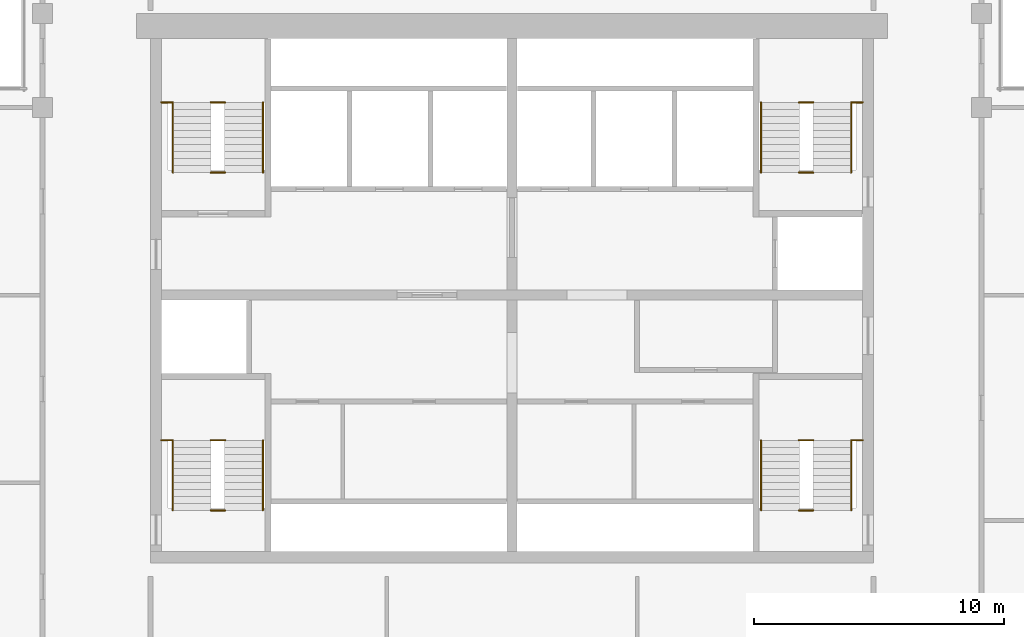
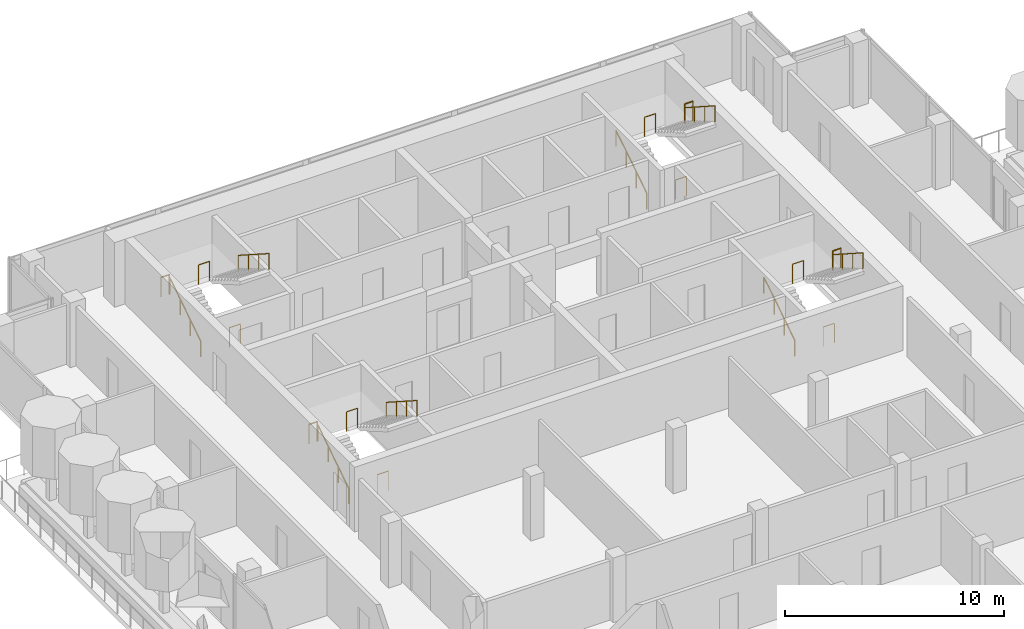
# One storey, part 11 of 12: 20 railings.
"""IFC4 building model written with IfcOpenShell, lengths in metres."""

from ifc_helpers import new_model, si_unit, direction, frame, origin, origin_2d, place, context, subcontext, project, spatial, circle, extrude, material, type_object, element, save


model = new_model("IFC4")

# Units and contexts
model_context = context("Model", 3, precision=1e-05, world=origin(), true_north=direction((0.0, 1.0)))
body_context = subcontext(model_context, "Body", "Model", "MODEL_VIEW")
ifc_project = project(units=[si_unit("LENGTHUNIT", "METRE"), si_unit("AREAUNIT", "SQUARE_METRE"), si_unit("VOLUMEUNIT", "CUBIC_METRE"), si_unit("PLANEANGLEUNIT", "RADIAN"), si_unit("MASSUNIT", "GRAM", prefix="KILO")], contexts=[model_context])

# Site, building, storey
site_placement = place(None, origin())
site = spatial("IfcSite", under=ifc_project, at=site_placement, CompositionType="ELEMENT")
building_placement = place(site_placement, origin())
building = spatial("IfcBuilding", under=site, at=building_placement, Name="Pilkhan Gate Tower", CompositionType="ELEMENT")
storey_placement = place(building_placement, frame((0.0, 0.0, 258.5)))
storey = spatial("IfcBuildingStorey", under=building, at=storey_placement, Name="L67", CompositionType="ELEMENT", Elevation=258.5)

# Railings
ifc_material_1 = material(Name="Black powder-coated steel tube", Category="steel")
railing_type_1 = type_object("IfcRailingType", Name="Stair handrail HR1", PredefinedType="HANDRAIL", material=ifc_material_1)
railing_1_placement = place(storey_placement, frame((84.949951171875, 73.89990234375, 0.0)))
element("IfcRailing", 1, at=railing_1_placement, inside=storey, type_object=railing_type_1, Name="Stair ST1 handrail L67", PredefinedType="HANDRAIL", context=body_context, shape_type="SweptSolid", body=[
    extrude(circle(Radius=0.02392578125, at=origin_2d()), frame((0.0, 0.0, 0.8759765625), z_axis=(0.0, 0.841176092368, 0.540761298198), x_axis=(-1.0, 0.0, 0.0)), (0.0, 0.0, 1.0), 3.32861328125),
    extrude(circle(Radius=0.02099609375, at=origin_2d()), origin(), (0.0, 0.0, 1.0), 0.851806640625),
    extrude(circle(Radius=0.02099609375, at=origin_2d()), frame((0.0, 0.933349609375, 0.60009765625)), (0.0, 0.0, 1.0), 0.851806640625),
    extrude(circle(Radius=0.02099609375, at=origin_2d()), frame((0.0, 1.86669921875, 1.199951171875)), (0.0, 0.0, 1.0), 0.851806640625),
    extrude(circle(Radius=0.02099609375, at=origin_2d()), frame((0.0, 2.800048828125, 1.800048828125)), (0.0, 0.0, 1.0), 0.851806640625),
])
railing_2_placement = place(storey_placement, frame((88.550048828125, 76.699951171875, 1.800048828125)))
element("IfcRailing", 2, at=railing_2_placement, inside=storey, type_object=railing_type_1, Name="Stair ST1 handrail L67", PredefinedType="HANDRAIL", context=body_context, shape_type="SweptSolid", body=[
    extrude(circle(Radius=0.02392578125, at=origin_2d()), frame((0.0, 0.0, 0.8759765625), z_axis=(0.0, -0.841176092368, 0.540761298198), x_axis=(1.0, 0.0, 0.0)), (0.0, 0.0, 1.0), 3.32861328125),
    extrude(circle(Radius=0.02099609375, at=origin_2d()), origin(), (0.0, 0.0, 1.0), 0.851806640625),
    extrude(circle(Radius=0.02099609375, at=origin_2d()), frame((0.0, -0.933349609375, 0.60009765625)), (0.0, 0.0, 1.0), 0.851806640625),
    extrude(circle(Radius=0.02099609375, at=origin_2d()), frame((0.0, -1.86669921875, 1.199951171875)), (0.0, 0.0, 1.0), 0.851806640625),
    extrude(circle(Radius=0.02099609375, at=origin_2d()), frame((0.0, -2.800048828125, 1.800048828125)), (0.0, 0.0, 1.0), 0.851806640625),
])
railing_3_placement = place(storey_placement, frame((61.449951171875, 73.89990234375, 0.0)))
element("IfcRailing", 3, at=railing_3_placement, inside=storey, type_object=railing_type_1, Name="Stair ST2 handrail L67", PredefinedType="HANDRAIL", context=body_context, shape_type="SweptSolid", body=[
    extrude(circle(Radius=0.02392578125, at=origin_2d()), frame((0.0, 0.0, 0.8759765625), z_axis=(0.0, 0.841176092368, 0.540761298198), x_axis=(-1.0, 0.0, 0.0)), (0.0, 0.0, 1.0), 3.32861328125),
    extrude(circle(Radius=0.02099609375, at=origin_2d()), origin(), (0.0, 0.0, 1.0), 0.851806640625),
    extrude(circle(Radius=0.02099609375, at=origin_2d()), frame((0.0, 0.933349609375, 0.60009765625)), (0.0, 0.0, 1.0), 0.851806640625),
    extrude(circle(Radius=0.02099609375, at=origin_2d()), frame((0.0, 1.86669921875, 1.199951171875)), (0.0, 0.0, 1.0), 0.851806640625),
    extrude(circle(Radius=0.02099609375, at=origin_2d()), frame((0.0, 2.800048828125, 1.800048828125)), (0.0, 0.0, 1.0), 0.851806640625),
])
railing_4_placement = place(storey_placement, frame((65.050048828125, 76.699951171875, 1.800048828125)))
element("IfcRailing", 4, at=railing_4_placement, inside=storey, type_object=railing_type_1, Name="Stair ST2 handrail L67", PredefinedType="HANDRAIL", context=body_context, shape_type="SweptSolid", body=[
    extrude(circle(Radius=0.02392578125, at=origin_2d()), frame((0.0, 0.0, 0.8759765625), z_axis=(0.0, -0.841176092368, 0.540761298198), x_axis=(1.0, 0.0, 0.0)), (0.0, 0.0, 1.0), 3.32861328125),
    extrude(circle(Radius=0.02099609375, at=origin_2d()), origin(), (0.0, 0.0, 1.0), 0.851806640625),
    extrude(circle(Radius=0.02099609375, at=origin_2d()), frame((0.0, -0.933349609375, 0.60009765625)), (0.0, 0.0, 1.0), 0.851806640625),
    extrude(circle(Radius=0.02099609375, at=origin_2d()), frame((0.0, -1.86669921875, 1.199951171875)), (0.0, 0.0, 1.0), 0.851806640625),
    extrude(circle(Radius=0.02099609375, at=origin_2d()), frame((0.0, -2.800048828125, 1.800048828125)), (0.0, 0.0, 1.0), 0.851806640625),
])
railing_5_placement = place(storey_placement, frame((61.449951171875, 87.39990234375, 0.0)))
element("IfcRailing", 5, at=railing_5_placement, inside=storey, type_object=railing_type_1, Name="Stair ST3 handrail L67", PredefinedType="HANDRAIL", context=body_context, shape_type="SweptSolid", body=[
    extrude(circle(Radius=0.02392578125, at=origin_2d()), frame((0.0, 0.0, 0.8759765625), z_axis=(0.0, 0.841176092368, 0.540761298198), x_axis=(-1.0, 0.0, 0.0)), (0.0, 0.0, 1.0), 3.32861328125),
    extrude(circle(Radius=0.02099609375, at=origin_2d()), origin(), (0.0, 0.0, 1.0), 0.851806640625),
    extrude(circle(Radius=0.02099609375, at=origin_2d()), frame((0.0, 0.933349609375, 0.60009765625)), (0.0, 0.0, 1.0), 0.851806640625),
    extrude(circle(Radius=0.02099609375, at=origin_2d()), frame((0.0, 1.86669921875, 1.199951171875)), (0.0, 0.0, 1.0), 0.851806640625),
    extrude(circle(Radius=0.02099609375, at=origin_2d()), frame((0.0, 2.800048828125, 1.800048828125)), (0.0, 0.0, 1.0), 0.851806640625),
])
railing_6_placement = place(storey_placement, frame((65.050048828125, 90.199951171875, 1.800048828125)))
element("IfcRailing", 6, at=railing_6_placement, inside=storey, type_object=railing_type_1, Name="Stair ST3 handrail L67", PredefinedType="HANDRAIL", context=body_context, shape_type="SweptSolid", body=[
    extrude(circle(Radius=0.02392578125, at=origin_2d()), frame((0.0, 0.0, 0.8759765625), z_axis=(0.0, -0.841176092368, 0.540761298198), x_axis=(1.0, 0.0, 0.0)), (0.0, 0.0, 1.0), 3.32861328125),
    extrude(circle(Radius=0.02099609375, at=origin_2d()), origin(), (0.0, 0.0, 1.0), 0.851806640625),
    extrude(circle(Radius=0.02099609375, at=origin_2d()), frame((0.0, -0.933349609375, 0.60009765625)), (0.0, 0.0, 1.0), 0.851806640625),
    extrude(circle(Radius=0.02099609375, at=origin_2d()), frame((0.0, -1.86669921875, 1.199951171875)), (0.0, 0.0, 1.0), 0.851806640625),
    extrude(circle(Radius=0.02099609375, at=origin_2d()), frame((0.0, -2.800048828125, 1.800048828125)), (0.0, 0.0, 1.0), 0.851806640625),
])
railing_7_placement = place(storey_placement, frame((84.949951171875, 87.39990234375, 0.0)))
element("IfcRailing", 7, at=railing_7_placement, inside=storey, type_object=railing_type_1, Name="Stair ST4 handrail L67", PredefinedType="HANDRAIL", context=body_context, shape_type="SweptSolid", body=[
    extrude(circle(Radius=0.02392578125, at=origin_2d()), frame((0.0, 0.0, 0.8759765625), z_axis=(0.0, 0.841176092368, 0.540761298198), x_axis=(-1.0, 0.0, 0.0)), (0.0, 0.0, 1.0), 3.32861328125),
    extrude(circle(Radius=0.02099609375, at=origin_2d()), origin(), (0.0, 0.0, 1.0), 0.851806640625),
    extrude(circle(Radius=0.02099609375, at=origin_2d()), frame((0.0, 0.933349609375, 0.60009765625)), (0.0, 0.0, 1.0), 0.851806640625),
    extrude(circle(Radius=0.02099609375, at=origin_2d()), frame((0.0, 1.86669921875, 1.199951171875)), (0.0, 0.0, 1.0), 0.851806640625),
    extrude(circle(Radius=0.02099609375, at=origin_2d()), frame((0.0, 2.800048828125, 1.800048828125)), (0.0, 0.0, 1.0), 0.851806640625),
])
railing_8_placement = place(storey_placement, frame((88.550048828125, 90.199951171875, 1.800048828125)))
element("IfcRailing", 8, at=railing_8_placement, inside=storey, type_object=railing_type_1, Name="Stair ST4 handrail L67", PredefinedType="HANDRAIL", context=body_context, shape_type="SweptSolid", body=[
    extrude(circle(Radius=0.02392578125, at=origin_2d()), frame((0.0, 0.0, 0.8759765625), z_axis=(0.0, -0.841176092368, 0.540761298198), x_axis=(1.0, 0.0, 0.0)), (0.0, 0.0, 1.0), 3.32861328125),
    extrude(circle(Radius=0.02099609375, at=origin_2d()), origin(), (0.0, 0.0, 1.0), 0.851806640625),
    extrude(circle(Radius=0.02099609375, at=origin_2d()), frame((0.0, -0.933349609375, 0.60009765625)), (0.0, 0.0, 1.0), 0.851806640625),
    extrude(circle(Radius=0.02099609375, at=origin_2d()), frame((0.0, -1.86669921875, 1.199951171875)), (0.0, 0.0, 1.0), 0.851806640625),
    extrude(circle(Radius=0.02099609375, at=origin_2d()), frame((0.0, -2.800048828125, 1.800048828125)), (0.0, 0.0, 1.0), 0.851806640625),
])
ifc_material_2 = material(Name="Black powder-coated steel balusters", Category="steel")
railing_type_2 = type_object("IfcRailingType", Name="Stair well guard G3", PredefinedType="GUARDRAIL", material=ifc_material_2)
railing_9_placement = place(storey_placement, frame((88.580078125, 76.699951171875, 1.800048828125)))
element("IfcRailing", 9, at=railing_9_placement, inside=storey, type_object=railing_type_2, Name="Stair ST1 well guard L67", PredefinedType="GUARDRAIL", context=body_context, shape_type="SweptSolid", body=[
    extrude(circle(Radius=0.02392578125, at=origin_2d()), frame((0.0, 0.0, 1.076171875), z_axis=(1.0, 0.0, 0.0), x_axis=(0.0, 1.0, 0.0)), (0.0, 0.0, 1.0), 0.43994140625),
    extrude(circle(Radius=0.02099609375, at=origin_2d()), origin(), (0.0, 0.0, 1.0), 1.052001953125),
    extrude(circle(Radius=0.02099609375, at=origin_2d()), frame((0.43994140625, 0.0, 0.0)), (0.0, 0.0, 1.0), 1.052001953125),
])
for number, where, name in (
    (10, (86.4599609375, 73.89990234375, 0.0), "Stair ST1 well guard L67"),
    (11, (86.4599609375, 76.699951171875, 1.800048828125), "Stair ST1 well guard L67"),
):
    element("IfcRailing", number, at=place(storey_placement, frame(where)), inside=storey, type_object=railing_type_2, Name=name, PredefinedType="GUARDRAIL", context=body_context, shape_type="SweptSolid", body=[
        extrude(circle(Radius=0.02392578125, at=origin_2d()), frame((0.0, 0.0, 1.076171875), z_axis=(1.0, 0.0, 0.0), x_axis=(0.0, 1.0, 0.0)), (0.0, 0.0, 1.0), 0.580078125),
        extrude(circle(Radius=0.02099609375, at=origin_2d()), origin(), (0.0, 0.0, 1.0), 1.052001953125),
        extrude(circle(Radius=0.02099609375, at=origin_2d()), frame((0.580078125, 0.0, 0.0)), (0.0, 0.0, 1.0), 1.052001953125),
    ])
railing_10_placement = place(storey_placement, frame((60.97998046875, 76.699951171875, 1.800048828125)))
element("IfcRailing", 12, at=railing_10_placement, inside=storey, type_object=railing_type_2, Name="Stair ST2 well guard L67", PredefinedType="GUARDRAIL", context=body_context, shape_type="SweptSolid", body=[
    extrude(circle(Radius=0.02392578125, at=origin_2d()), frame((0.0, 0.0, 1.076171875), z_axis=(1.0, 0.0, 0.0), x_axis=(0.0, 1.0, 0.0)), (0.0, 0.0, 1.0), 0.43994140625),
    extrude(circle(Radius=0.02099609375, at=origin_2d()), origin(), (0.0, 0.0, 1.0), 1.052001953125),
    extrude(circle(Radius=0.02099609375, at=origin_2d()), frame((0.43994140625, 0.0, 0.0)), (0.0, 0.0, 1.0), 1.052001953125),
])
for number, where, name in (
    (13, (62.9599609375, 73.89990234375, 0.0), "Stair ST2 well guard L67"),
    (14, (62.9599609375, 76.699951171875, 1.800048828125), "Stair ST2 well guard L67"),
):
    element("IfcRailing", number, at=place(storey_placement, frame(where)), inside=storey, type_object=railing_type_2, Name=name, PredefinedType="GUARDRAIL", context=body_context, shape_type="SweptSolid", body=[
        extrude(circle(Radius=0.02392578125, at=origin_2d()), frame((0.0, 0.0, 1.076171875), z_axis=(1.0, 0.0, 0.0), x_axis=(0.0, 1.0, 0.0)), (0.0, 0.0, 1.0), 0.580078125),
        extrude(circle(Radius=0.02099609375, at=origin_2d()), origin(), (0.0, 0.0, 1.0), 1.052001953125),
        extrude(circle(Radius=0.02099609375, at=origin_2d()), frame((0.580078125, 0.0, 0.0)), (0.0, 0.0, 1.0), 1.052001953125),
    ])
railing_11_placement = place(storey_placement, frame((60.97998046875, 90.199951171875, 1.800048828125)))
element("IfcRailing", 15, at=railing_11_placement, inside=storey, type_object=railing_type_2, Name="Stair ST3 well guard L67", PredefinedType="GUARDRAIL", context=body_context, shape_type="SweptSolid", body=[
    extrude(circle(Radius=0.02392578125, at=origin_2d()), frame((0.0, 0.0, 1.076171875), z_axis=(1.0, 0.0, 0.0), x_axis=(0.0, 1.0, 0.0)), (0.0, 0.0, 1.0), 0.43994140625),
    extrude(circle(Radius=0.02099609375, at=origin_2d()), origin(), (0.0, 0.0, 1.0), 1.052001953125),
    extrude(circle(Radius=0.02099609375, at=origin_2d()), frame((0.43994140625, 0.0, 0.0)), (0.0, 0.0, 1.0), 1.052001953125),
])
for number, where, name in (
    (16, (62.9599609375, 87.39990234375, 0.0), "Stair ST3 well guard L67"),
    (17, (62.9599609375, 90.199951171875, 1.800048828125), "Stair ST3 well guard L67"),
):
    element("IfcRailing", number, at=place(storey_placement, frame(where)), inside=storey, type_object=railing_type_2, Name=name, PredefinedType="GUARDRAIL", context=body_context, shape_type="SweptSolid", body=[
        extrude(circle(Radius=0.02392578125, at=origin_2d()), frame((0.0, 0.0, 1.076171875), z_axis=(1.0, 0.0, 0.0), x_axis=(0.0, 1.0, 0.0)), (0.0, 0.0, 1.0), 0.580078125),
        extrude(circle(Radius=0.02099609375, at=origin_2d()), origin(), (0.0, 0.0, 1.0), 1.052001953125),
        extrude(circle(Radius=0.02099609375, at=origin_2d()), frame((0.580078125, 0.0, 0.0)), (0.0, 0.0, 1.0), 1.052001953125),
    ])
railing_12_placement = place(storey_placement, frame((88.580078125, 90.199951171875, 1.800048828125)))
element("IfcRailing", 18, at=railing_12_placement, inside=storey, type_object=railing_type_2, Name="Stair ST4 well guard L67", PredefinedType="GUARDRAIL", context=body_context, shape_type="SweptSolid", body=[
    extrude(circle(Radius=0.02392578125, at=origin_2d()), frame((0.0, 0.0, 1.076171875), z_axis=(1.0, 0.0, 0.0), x_axis=(0.0, 1.0, 0.0)), (0.0, 0.0, 1.0), 0.43994140625),
    extrude(circle(Radius=0.02099609375, at=origin_2d()), origin(), (0.0, 0.0, 1.0), 1.052001953125),
    extrude(circle(Radius=0.02099609375, at=origin_2d()), frame((0.43994140625, 0.0, 0.0)), (0.0, 0.0, 1.0), 1.052001953125),
])
for number, where, name in (
    (19, (86.4599609375, 87.39990234375, 0.0), "Stair ST4 well guard L67"),
    (20, (86.4599609375, 90.199951171875, 1.800048828125), "Stair ST4 well guard L67"),
):
    element("IfcRailing", number, at=place(storey_placement, frame(where)), inside=storey, type_object=railing_type_2, Name=name, PredefinedType="GUARDRAIL", context=body_context, shape_type="SweptSolid", body=[
        extrude(circle(Radius=0.02392578125, at=origin_2d()), frame((0.0, 0.0, 1.076171875), z_axis=(1.0, 0.0, 0.0), x_axis=(0.0, 1.0, 0.0)), (0.0, 0.0, 1.0), 0.580078125),
        extrude(circle(Radius=0.02099609375, at=origin_2d()), origin(), (0.0, 0.0, 1.0), 1.052001953125),
        extrude(circle(Radius=0.02099609375, at=origin_2d()), frame((0.580078125, 0.0, 0.0)), (0.0, 0.0, 1.0), 1.052001953125),
    ])

save(model, "model.ifc")
